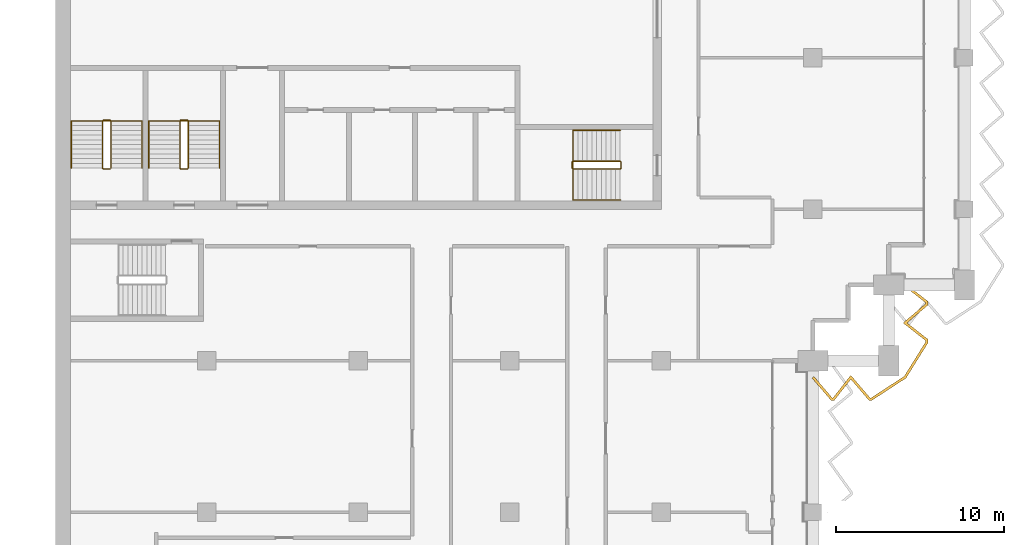
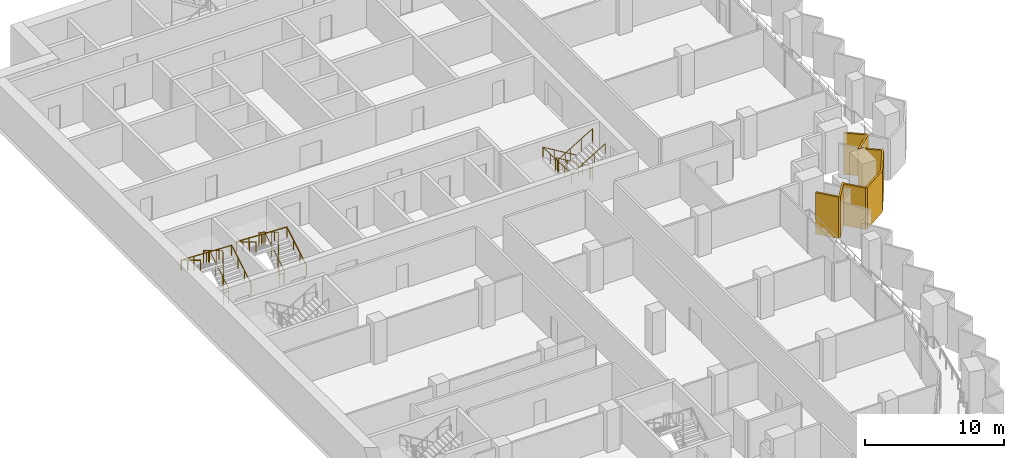
# One storey, part 16 of 17: 6 railings, 1 shading device.
"""IFC4 building model written with IfcOpenShell, lengths in metres."""

import ifcopenshell
import ifcopenshell.guid

model = None  # the IFC model being written
_history = None  # IfcOwnerHistory: only IFC2X3 demands one
_inside = {}  # id of a spatial element -> (the spatial element, [elements in it])
_under = {}  # id of a project, library or spatial element -> (it, [spatial elements below it])
_declared = {}  # id of a project -> (the project, [libraries it declares])
_typed = {}  # id of a type object -> (the type object, [elements of that type])
_made_of = {}  # id of a material, layer set ... -> (it, [elements and type objects made of it])


def new_model(schema):
    """Start an empty IFC model of exactly this schema.

    Asked for "IFC4X3", IfcOpenShell would pick the latest addendum, in which some entities
    have other attributes; the version numbers below select the first issue.
    IFC2X3 requires an IfcOwnerHistory on every rooted entity: one is made here for all.
    """
    global model, _history
    if schema == "IFC4X3":
        model = ifcopenshell.file(schema_version=(4, 3, 0, 0))
    else:
        model = ifcopenshell.file(schema=schema)
    _inside.clear()
    _under.clear()
    _declared.clear()
    _typed.clear()
    _made_of.clear()
    _history = None
    if model.schema == "IFC2X3":
        org = make("IfcOrganization", Name="unknown")
        user = make(
            "IfcPersonAndOrganization",
            ThePerson=make("IfcPerson", FamilyName="unknown"),
            TheOrganization=org,
        )
        app = make(
            "IfcApplication",
            ApplicationDeveloper=org,
            Version="unknown",
            ApplicationFullName="unknown",
            ApplicationIdentifier="unknown",
        )
        _history = make(
            "IfcOwnerHistory",
            OwningUser=user,
            OwningApplication=app,
            ChangeAction="ADDED",
            CreationDate=0,
        )
    return model


def make(cls, **values):
    """One entity of the class cls with the attributes given. An attribute that is None is left unset."""
    return model.create_entity(
        cls, **{name: value for name, value in values.items() if value is not None}
    )


def rooted(cls, **values):
    """An entity with a GlobalId (a new one), such as an element, a storey or a relation."""
    return make(cls, GlobalId=ifcopenshell.guid.new(), OwnerHistory=_history, **values)


def si_unit(unit_type, name, prefix=None):
    """IfcSIUnit, for example si_unit("LENGTHUNIT", "METRE", prefix="MILLI")."""
    return make("IfcSIUnit", UnitType=unit_type, Prefix=prefix, Name=name)


def assignment(units):
    """IfcUnitAssignment: the units of a project."""
    return None if units is None else make("IfcUnitAssignment", Units=units)


def point(xyz):
    """IfcCartesianPoint."""
    return None if xyz is None else make("IfcCartesianPoint", Coordinates=xyz)


def direction(xyz):
    """IfcDirection."""
    return None if xyz is None else make("IfcDirection", DirectionRatios=xyz)


def frame(location, z_axis=None, x_axis=None):
    """IfcAxis2Placement3D, a coordinate frame: its origin and axes. An axis left out is left unset."""
    return make(
        "IfcAxis2Placement3D",
        Location=point(location),
        Axis=direction(z_axis),
        RefDirection=direction(x_axis),
    )


def frame_2d(location, x_axis=None):
    """IfcAxis2Placement2D, a coordinate frame in the plane: its origin and x axis."""
    return make(
        "IfcAxis2Placement2D", Location=point(location), RefDirection=direction(x_axis)
    )


def origin():
    """The frame at (0, 0, 0) with its axes left unset."""
    return frame((0.0, 0.0, 0.0))


def origin_2d():
    """The frame at (0, 0) in the plane with its x axis left unset."""
    return frame_2d((0.0, 0.0))


def place(relative_to, where):
    """IfcLocalPlacement: puts the frame where relative to a parent placement (None: the world)."""
    return make(
        "IfcLocalPlacement", PlacementRelTo=relative_to, RelativePlacement=where
    )


def context(
    kind, dimensions, precision=None, world=None, true_north=None, identifier=None
):
    """IfcGeometricRepresentationContext, for example the 3D "Model" context."""
    return make(
        "IfcGeometricRepresentationContext",
        ContextIdentifier=identifier,
        ContextType=kind,
        CoordinateSpaceDimension=dimensions,
        Precision=precision,
        WorldCoordinateSystem=world,
        TrueNorth=true_north,
    )


def subcontext(parent, identifier, kind, view, scale=None):
    """IfcGeometricRepresentationSubContext, for example "Body" below "Model"."""
    return make(
        "IfcGeometricRepresentationSubContext",
        ContextIdentifier=identifier,
        ContextType=kind,
        ParentContext=parent,
        TargetScale=scale,
        TargetView=view,
    )


def project(units=None, contexts=None):
    """IfcProject with its units and contexts."""
    return rooted(
        "IfcProject",
        Name="project",
        RepresentationContexts=contexts,
        UnitsInContext=assignment(units),
    )


def spatial(cls, under=None, at=None, **own):
    """A site, building, storey or space (cls), placed at a placement, below another one or the project."""
    s = rooted(cls, ObjectPlacement=at, **own)
    if under is not None:
        _under.setdefault(under.id(), (under, []))[1].append(s)
    return s


def polyline(points):
    """IfcPolyline through the points."""
    return make("IfcPolyline", Points=[point(p) for p in points])


def profile(cls, at=None, kind="AREA", **sizes):
    """A parametric profile (cls). Its sizes go by their IFC names, for example OverallWidth=200.0."""
    return make(cls, ProfileType=kind, Position=at, **sizes)


def circle(**sizes):
    """IfcCircleProfileDef."""
    return profile("IfcCircleProfileDef", **sizes)


def outline(outer, holes=None, kind="AREA"):
    """IfcArbitraryClosedProfileDef: a profile drawn as a closed curve; with holes, ...WithVoids."""
    if holes is None:
        return make("IfcArbitraryClosedProfileDef", ProfileType=kind, OuterCurve=outer)
    return make(
        "IfcArbitraryProfileDefWithVoids",
        ProfileType=kind,
        OuterCurve=outer,
        InnerCurves=holes,
    )


def extrude(swept, where, along, depth):
    """IfcExtrudedAreaSolid: the profile swept, set in the frame where, extruded along a direction by depth."""
    return make(
        "IfcExtrudedAreaSolid",
        SweptArea=swept,
        Position=where,
        ExtrudedDirection=direction(along),
        Depth=depth,
    )


def shape(context_of_items, identifier, shape_type, items):
    """IfcShapeRepresentation: the items that make up one representation, for example the "Body"."""
    return make(
        "IfcShapeRepresentation",
        ContextOfItems=context_of_items,
        RepresentationIdentifier=identifier,
        RepresentationType=shape_type,
        Items=items,
    )


def material(Name=None, Category=None):
    """IfcMaterial."""
    return make("IfcMaterial", Name=Name, Category=Category)


def layer(
    of_material, thickness, ventilated=None, Name=None, Category=None, Priority=None
):
    """IfcMaterialLayer: one layer of a wall or slab, of a material (None: an air gap)."""
    return make(
        "IfcMaterialLayer",
        Material=of_material,
        LayerThickness=thickness,
        IsVentilated=ventilated,
        Name=Name,
        Category=Category,
        Priority=Priority,
    )


def layer_set(layers, Name=None):
    """IfcMaterialLayerSet."""
    return make("IfcMaterialLayerSet", MaterialLayers=layers, LayerSetName=Name)


def made_of(thing, what):
    """Note that an element or type object is made of a material, layer set ...; save() writes the relation."""
    if what is not None:
        _made_of.setdefault(what.id(), (what, []))[1].append(thing)
    return thing


def type_object(cls, material=None, **own):
    """A type object (cls), such as IfcWallType, which elements share."""
    return made_of(rooted(cls, **own), material)


def element(
    cls,
    number,
    at=None,
    inside=None,
    cuts=None,
    type_object=None,
    material=None,
    context=None,
    identifier="Body",
    shape_type=None,
    held_by="IfcProductDefinitionShape",
    body=None,
    shapes=None,
    **own,
):
    """One element of the class cls, such as IfcWall. Its Tag is "e" and its number.

    at: its placement. inside: the storey or other place that contains it. cuts: it is an
    opening in that element (IfcRelVoidsElement). A single representation is given by context,
    identifier, shape_type and body (its items); several are given by shapes. held_by: the class
    of the entity that holds the representations. save() writes the other relations.
    """
    e = rooted(cls, Tag="e%d" % number, ObjectPlacement=at, **own)
    if body is not None:
        shapes = [shape(context, identifier, shape_type, body)]
    if shapes is not None:
        e.Representation = make(held_by, Representations=shapes)
    if inside is not None:
        _inside.setdefault(inside.id(), (inside, []))[1].append(e)
    if cuts is not None:
        rooted(
            "IfcRelVoidsElement", RelatingBuildingElement=cuts, RelatedOpeningElement=e
        )
    if type_object is not None:
        _typed.setdefault(type_object.id(), (type_object, []))[1].append(e)
    return made_of(e, material)


def aggregate(whole, parts):
    """IfcRelAggregates: a whole, such as a stair, and the parts it consists of."""
    return rooted("IfcRelAggregates", RelatingObject=whole, RelatedObjects=parts)


def save(model, path):
    """Write the relations noted so far, then the file.

    IfcRelAggregates (storeys below a building ...), IfcRelContainedInSpatialStructure (elements
    in a storey), IfcRelDefinesByType, IfcRelAssociatesMaterial and IfcRelDeclares: one each for
    every whole, place, type object, material and project.
    """
    for whole, parts in _under.values():
        aggregate(whole, parts)
    for where, things in _inside.values():
        rooted(
            "IfcRelContainedInSpatialStructure",
            RelatedElements=things,
            RelatingStructure=where,
        )
    for kind, things in _typed.values():
        rooted("IfcRelDefinesByType", RelatedObjects=things, RelatingType=kind)
    for what, things in _made_of.values():
        rooted("IfcRelAssociatesMaterial", RelatedObjects=things, RelatingMaterial=what)
    for by, libraries in _declared.values():
        rooted("IfcRelDeclares", RelatingContext=by, RelatedDefinitions=libraries)
    model.write(path)


model = new_model("IFC4")

# Units and contexts
model_context = context("Model", 3, precision=1e-05, world=origin(), true_north=direction((0.0, 1.0)))
body_context = subcontext(model_context, "Body", "Model", "MODEL_VIEW")
ifc_project = project(units=[si_unit("LENGTHUNIT", "METRE"), si_unit("AREAUNIT", "SQUARE_METRE"), si_unit("VOLUMEUNIT", "CUBIC_METRE"), si_unit("PLANEANGLEUNIT", "RADIAN"), si_unit("MASSUNIT", "GRAM", prefix="KILO")], contexts=[model_context])

# Site, building, storey
site_placement = place(None, origin())
site = spatial("IfcSite", under=ifc_project, at=site_placement, CompositionType="ELEMENT")
building_placement = place(site_placement, origin())
building = spatial("IfcBuilding", under=site, at=building_placement, Name="Hunhe Ridgeline Campus", CompositionType="ELEMENT")
storey_placement = place(building_placement, frame((0.0, 0.0, 205.0)))
storey = spatial("IfcBuildingStorey", under=building, at=storey_placement, Name="L52", CompositionType="ELEMENT", Elevation=205.0)

# Shading device
ifc_material_1 = material(Name="Concrete C50", Category="concrete")
ifc_layer = layer(ifc_material_1, 0.14990234375)
ifc_layer_set = layer_set([ifc_layer], Name="Sawtooth concrete fin 150 Concrete C50")
shading_device_type = type_object("IfcShadingDeviceType", Name="Sawtooth concrete fin 150 Concrete C50", PredefinedType="USERDEFINED", material=ifc_layer_set)
shading_device_placement = place(storey_placement, frame((0.0, 0.0, -0.949951171875)))
element("IfcShadingDevice", 1, at=shading_device_placement, inside=storey, type_object=shading_device_type, Name="Concrete fin screen 2", ObjectType="FIN", PredefinedType="USERDEFINED", context=body_context, shape_type="SweptSolid", body=[
    extrude(outline(polyline([(45.05712890625, 53.07373046875), (44.94287109375, 52.976318359375), (46.07470703125, 51.64990234375), (46.265869140625, 51.64990234375), (47.25244140625, 52.90673828125), (48.32470703125, 51.64990234375), (48.501708984375, 51.64990234375), (50.52978515625, 52.97119140625), (51.85009765625, 55.087890625), (51.85009765625, 55.265869140625), (50.59326171875, 56.25244140625), (51.85009765625, 57.32470703125), (51.85009765625, 57.515869140625), (50.521240234375, 58.55908203125), (50.4287109375, 58.44091796875), (51.699951171875, 57.44287109375), (51.699951171875, 57.393798828125), (50.356689453125, 56.24755859375), (51.699951171875, 55.19287109375), (51.699951171875, 55.130859375), (50.420166015625, 53.078857421875), (48.45703125, 51.800048828125), (48.393798828125, 51.800048828125), (47.24755859375, 53.143310546875), (46.19287109375, 51.800048828125), (46.143798828125, 51.800048828125), (45.05712890625, 53.07373046875)])), origin(), (0.0, 0.0, 1.0), 3.64990234375),
])

# Railings
ifc_material_2 = material(Name="Stainless steel balustrade", Category="steel")
railing_type_1 = type_object("IfcRailingType", Name="Stair guard 1100 stainless", PredefinedType="GUARDRAIL", material=ifc_material_2)
railing_1_placement = place(storey_placement, frame((33.550048828125, 65.85009765625, 0.168212890625)))
element("IfcRailing", 2, at=railing_1_placement, inside=storey, type_object=railing_type_1, Name="L52 stair S2 guard", PredefinedType="GUARDRAIL", context=body_context, shape_type="SweptSolid", body=[
    extrude(circle(Radius=0.02392578125, at=origin_2d()), frame((0.0, 0.0, 1.076171875), z_axis=(-0.857242210791, 0.0, 0.514913383045), x_axis=(0.0, -1.0, 0.0)), (0.0, 0.0, 1.0), 3.266357421875),
    extrude(circle(Radius=0.02392578125, at=origin_2d()), frame((-2.800048828125, 0.0, 2.7578125), z_axis=(-0.707106781187, -0.707106781187, 0.0), x_axis=(0.707106781187, -0.707106781187, 0.0)), (0.0, 0.0, 1.0), 0.07080078125),
    extrude(circle(Radius=0.02392578125, at=origin_2d()), frame((-2.85009765625, -0.050048828125, 2.7578125), z_axis=(0.0, -1.0, 0.0), x_axis=(1.0, 0.0, 0.0)), (0.0, 0.0, 1.0), 0.35009765625),
    extrude(circle(Radius=0.02392578125, at=origin_2d()), frame((-2.85009765625, -0.400146484375, 2.7578125), z_axis=(0.274582412415, -0.274582412415, 0.921525364591), x_axis=(0.707106781187, 0.707106781187, 0.0)), (0.0, 0.0, 1.0), 0.182373046875),
    extrude(circle(Radius=0.02392578125, at=origin_2d()), frame((-2.800048828125, -0.4501953125, 2.92578125), z_axis=(0.857242210791, 0.0, 0.514913383045), x_axis=(0.0, 1.0, 0.0)), (0.0, 0.0, 1.0), 3.266357421875),
    extrude(circle(Radius=0.02392578125, at=origin_2d()), frame((0.0, -0.4501953125, 4.60791015625), z_axis=(0.013524414389, 0.013524414389, -0.999817073484), x_axis=(-0.707106781187, 0.707106781187, 0.0)), (0.0, 0.0, 1.0), 3.70068359375),
    extrude(circle(Radius=0.02392578125, at=origin_2d()), frame((0.050048828125, -0.400146484375, 0.90771484375), z_axis=(0.0, 1.0, 0.0), x_axis=(-1.0, 0.0, 0.0)), (0.0, 0.0, 1.0), 0.35009765625),
    extrude(circle(Radius=0.02099609375, at=origin_2d()), origin(), (0.0, 0.0, 1.0), 1.052001953125),
    extrude(circle(Radius=0.02099609375, at=origin_2d()), frame((-0.933349609375, 0.0, 0.560546875)), (0.0, 0.0, 1.0), 1.052001953125),
    extrude(circle(Radius=0.02099609375, at=origin_2d()), frame((-1.86669921875, 0.0, 1.121337890625)), (0.0, 0.0, 1.0), 1.052001953125),
    extrude(circle(Radius=0.02099609375, at=origin_2d()), frame((-2.800048828125, 0.0, 1.681884765625)), (0.0, 0.0, 1.0), 1.052001953125),
    extrude(circle(Radius=0.02099609375, at=origin_2d()), frame((-2.85009765625, -0.050048828125, 1.681884765625)), (0.0, 0.0, 1.0), 1.052001953125),
    extrude(circle(Radius=0.02099609375, at=origin_2d()), frame((-2.85009765625, -0.400146484375, 1.681884765625)), (0.0, 0.0, 1.0), 1.052001953125),
    extrude(circle(Radius=0.02099609375, at=origin_2d()), frame((-2.800048828125, -0.4501953125, 1.849853515625)), (0.0, 0.0, 1.0), 1.052001953125),
    extrude(circle(Radius=0.02099609375, at=origin_2d()), frame((-1.86669921875, -0.4501953125, 2.410400390625)), (0.0, 0.0, 1.0), 1.052001953125),
    extrude(circle(Radius=0.02099609375, at=origin_2d()), frame((-0.933349609375, -0.4501953125, 2.97119140625)), (0.0, 0.0, 1.0), 1.052001953125),
    extrude(circle(Radius=0.02099609375, at=origin_2d()), frame((0.0, -0.4501953125, 3.53173828125)), (0.0, 0.0, 1.0), 1.052001953125),
    extrude(circle(Radius=0.02099609375, at=origin_2d()), frame((0.012451171875, -0.437744140625, 2.606689453125)), (0.0, 0.0, 1.0), 1.052001953125),
    extrude(circle(Radius=0.02099609375, at=origin_2d()), frame((0.02490234375, -0.42529296875, 1.681640625)), (0.0, 0.0, 1.0), 1.052001953125),
    extrude(circle(Radius=0.02099609375, at=origin_2d()), frame((0.03759765625, -0.41259765625, 0.7568359375)), (0.0, 0.0, 1.0), 1.052001953125),
    extrude(circle(Radius=0.02099609375, at=origin_2d()), frame((0.050048828125, -0.400146484375, -0.168212890625)), (0.0, 0.0, 1.0), 1.052001953125),
    extrude(circle(Radius=0.02099609375, at=origin_2d()), frame((0.050048828125, -0.050048828125, -0.168212890625)), (0.0, 0.0, 1.0), 1.052001953125),
])
railing_2_placement = place(storey_placement, frame((3.300048828125, 65.449951171875, 0.168212890625)))
element("IfcRailing", 3, at=railing_2_placement, inside=storey, type_object=railing_type_1, Name="L52 stair S3 guard", PredefinedType="GUARDRAIL", context=body_context, shape_type="SweptSolid", body=[
    extrude(circle(Radius=0.02392578125, at=origin_2d()), frame((0.0, 0.0, 1.076171875), z_axis=(0.0, 0.857242210791, 0.514913383045), x_axis=(-1.0, 0.0, 0.0)), (0.0, 0.0, 1.0), 3.266357421875),
    extrude(circle(Radius=0.02392578125, at=origin_2d()), frame((0.0, 2.800048828125, 2.7578125), z_axis=(-0.707106781187, 0.707106781187, 0.0), x_axis=(-0.707106781187, -0.707106781187, 0.0)), (0.0, 0.0, 1.0), 0.07080078125),
    extrude(circle(Radius=0.02392578125, at=origin_2d()), frame((-0.050048828125, 2.85009765625, 2.7578125), z_axis=(-1.0, 0.0, 0.0), x_axis=(0.0, -1.0, 0.0)), (0.0, 0.0, 1.0), 0.39990234375),
    extrude(circle(Radius=0.02392578125, at=origin_2d()), frame((-0.449951171875, 2.85009765625, 2.7578125), z_axis=(-0.274582412415, -0.274582412415, 0.921525364591), x_axis=(0.707106781187, -0.707106781187, 0.0)), (0.0, 0.0, 1.0), 0.182373046875),
    extrude(circle(Radius=0.02392578125, at=origin_2d()), frame((-0.5, 2.800048828125, 2.92578125), z_axis=(0.0, -0.857242210791, 0.514913383045), x_axis=(1.0, 0.0, 0.0)), (0.0, 0.0, 1.0), 3.266357421875),
    extrude(circle(Radius=0.02392578125, at=origin_2d()), frame((-0.5, 0.0, 4.60791015625), z_axis=(0.013524414389, -0.013524414389, -0.999817073484), x_axis=(0.707106781187, 0.707106781187, 0.0)), (0.0, 0.0, 1.0), 3.70068359375),
    extrude(circle(Radius=0.02392578125, at=origin_2d()), frame((-0.449951171875, -0.050048828125, 0.90771484375), z_axis=(1.0, 0.0, 0.0), x_axis=(0.0, 1.0, 0.0)), (0.0, 0.0, 1.0), 0.39990234375),
    extrude(circle(Radius=0.02099609375, at=origin_2d()), origin(), (0.0, 0.0, 1.0), 1.052001953125),
    extrude(circle(Radius=0.02099609375, at=origin_2d()), frame((0.0, 0.933349609375, 0.560546875)), (0.0, 0.0, 1.0), 1.052001953125),
    extrude(circle(Radius=0.02099609375, at=origin_2d()), frame((0.0, 1.86669921875, 1.121337890625)), (0.0, 0.0, 1.0), 1.052001953125),
    extrude(circle(Radius=0.02099609375, at=origin_2d()), frame((0.0, 2.800048828125, 1.681884765625)), (0.0, 0.0, 1.0), 1.052001953125),
    extrude(circle(Radius=0.02099609375, at=origin_2d()), frame((-0.050048828125, 2.85009765625, 1.681884765625)), (0.0, 0.0, 1.0), 1.052001953125),
    extrude(circle(Radius=0.02099609375, at=origin_2d()), frame((-0.449951171875, 2.85009765625, 1.681884765625)), (0.0, 0.0, 1.0), 1.052001953125),
    extrude(circle(Radius=0.02099609375, at=origin_2d()), frame((-0.5, 2.800048828125, 1.849853515625)), (0.0, 0.0, 1.0), 1.052001953125),
    extrude(circle(Radius=0.02099609375, at=origin_2d()), frame((-0.5, 1.86669921875, 2.410400390625)), (0.0, 0.0, 1.0), 1.052001953125),
    extrude(circle(Radius=0.02099609375, at=origin_2d()), frame((-0.5, 0.933349609375, 2.97119140625)), (0.0, 0.0, 1.0), 1.052001953125),
    extrude(circle(Radius=0.02099609375, at=origin_2d()), frame((-0.5, 0.0, 3.53173828125)), (0.0, 0.0, 1.0), 1.052001953125),
    extrude(circle(Radius=0.02099609375, at=origin_2d()), frame((-0.487548828125, -0.012451171875, 2.606689453125)), (0.0, 0.0, 1.0), 1.052001953125),
    extrude(circle(Radius=0.02099609375, at=origin_2d()), frame((-0.47509765625, -0.02490234375, 1.681640625)), (0.0, 0.0, 1.0), 1.052001953125),
    extrude(circle(Radius=0.02099609375, at=origin_2d()), frame((-0.46240234375, -0.03759765625, 0.7568359375)), (0.0, 0.0, 1.0), 1.052001953125),
    extrude(circle(Radius=0.02099609375, at=origin_2d()), frame((-0.449951171875, -0.050048828125, -0.168212890625)), (0.0, 0.0, 1.0), 1.052001953125),
    extrude(circle(Radius=0.02099609375, at=origin_2d()), frame((-0.050048828125, -0.050048828125, -0.168212890625)), (0.0, 0.0, 1.0), 1.052001953125),
])
railing_3_placement = place(storey_placement, frame((7.89990234375, 65.449951171875, 0.168212890625)))
element("IfcRailing", 4, at=railing_3_placement, inside=storey, type_object=railing_type_1, Name="L52 stair S4 guard", PredefinedType="GUARDRAIL", context=body_context, shape_type="SweptSolid", body=[
    extrude(circle(Radius=0.02392578125, at=origin_2d()), frame((0.0, 0.0, 1.076171875), z_axis=(0.0, 0.857242210791, 0.514913383045), x_axis=(-1.0, 0.0, 0.0)), (0.0, 0.0, 1.0), 3.266357421875),
    extrude(circle(Radius=0.02392578125, at=origin_2d()), frame((0.0, 2.800048828125, 2.7578125), z_axis=(-0.705375805398, 0.708833529934, 0.0), x_axis=(-0.708833529934, -0.705375805398, 0.0)), (0.0, 0.0, 1.0), 0.070556640625),
    extrude(circle(Radius=0.02392578125, at=origin_2d()), frame((-0.0498046875, 2.85009765625, 2.7578125), z_axis=(-1.0, 0.0, 0.0), x_axis=(0.0, -1.0, 0.0)), (0.0, 0.0, 1.0), 0.400146484375),
    extrude(circle(Radius=0.02392578125, at=origin_2d()), frame((-0.449951171875, 2.85009765625, 2.7578125), z_axis=(-0.274582412415, -0.274582412415, 0.921525364591), x_axis=(0.707106781187, -0.707106781187, 0.0)), (0.0, 0.0, 1.0), 0.182373046875),
    extrude(circle(Radius=0.02392578125, at=origin_2d()), frame((-0.5, 2.800048828125, 2.92578125), z_axis=(0.0, -0.857242210791, 0.514913383045), x_axis=(1.0, 0.0, 0.0)), (0.0, 0.0, 1.0), 3.266357421875),
    extrude(circle(Radius=0.02392578125, at=origin_2d()), frame((-0.5, 0.0, 4.60791015625), z_axis=(0.013524414389, -0.013524414389, -0.999817073484), x_axis=(0.707106781187, 0.707106781187, 0.0)), (0.0, 0.0, 1.0), 3.70068359375),
    extrude(circle(Radius=0.02392578125, at=origin_2d()), frame((-0.449951171875, -0.050048828125, 0.90771484375), z_axis=(1.0, 0.0, 0.0), x_axis=(0.0, 1.0, 0.0)), (0.0, 0.0, 1.0), 0.400146484375),
    extrude(circle(Radius=0.02099609375, at=origin_2d()), origin(), (0.0, 0.0, 1.0), 1.052001953125),
    extrude(circle(Radius=0.02099609375, at=origin_2d()), frame((0.0, 0.933349609375, 0.560546875)), (0.0, 0.0, 1.0), 1.052001953125),
    extrude(circle(Radius=0.02099609375, at=origin_2d()), frame((0.0, 1.86669921875, 1.121337890625)), (0.0, 0.0, 1.0), 1.052001953125),
    extrude(circle(Radius=0.02099609375, at=origin_2d()), frame((0.0, 2.800048828125, 1.681884765625)), (0.0, 0.0, 1.0), 1.052001953125),
    extrude(circle(Radius=0.02099609375, at=origin_2d()), frame((-0.0498046875, 2.85009765625, 1.681884765625)), (0.0, 0.0, 1.0), 1.052001953125),
    extrude(circle(Radius=0.02099609375, at=origin_2d()), frame((-0.449951171875, 2.85009765625, 1.681884765625)), (0.0, 0.0, 1.0), 1.052001953125),
    extrude(circle(Radius=0.02099609375, at=origin_2d()), frame((-0.5, 2.800048828125, 1.849853515625)), (0.0, 0.0, 1.0), 1.052001953125),
    extrude(circle(Radius=0.02099609375, at=origin_2d()), frame((-0.5, 1.86669921875, 2.410400390625)), (0.0, 0.0, 1.0), 1.052001953125),
    extrude(circle(Radius=0.02099609375, at=origin_2d()), frame((-0.5, 0.933349609375, 2.97119140625)), (0.0, 0.0, 1.0), 1.052001953125),
    extrude(circle(Radius=0.02099609375, at=origin_2d()), frame((-0.5, 0.0, 3.53173828125)), (0.0, 0.0, 1.0), 1.052001953125),
    extrude(circle(Radius=0.02099609375, at=origin_2d()), frame((-0.487548828125, -0.012451171875, 2.606689453125)), (0.0, 0.0, 1.0), 1.052001953125),
    extrude(circle(Radius=0.02099609375, at=origin_2d()), frame((-0.47509765625, -0.02490234375, 1.681640625)), (0.0, 0.0, 1.0), 1.052001953125),
    extrude(circle(Radius=0.02099609375, at=origin_2d()), frame((-0.46240234375, -0.03759765625, 0.7568359375)), (0.0, 0.0, 1.0), 1.052001953125),
    extrude(circle(Radius=0.02099609375, at=origin_2d()), frame((-0.449951171875, -0.050048828125, -0.168212890625)), (0.0, 0.0, 1.0), 1.052001953125),
    extrude(circle(Radius=0.02099609375, at=origin_2d()), frame((-0.0498046875, -0.050048828125, -0.168212890625)), (0.0, 0.0, 1.0), 1.052001953125),
])
ifc_material_3 = material(Name="Stainless steel handrail", Category="steel")
railing_type_2 = type_object("IfcRailingType", Name="Stair handrail 900 stainless", PredefinedType="HANDRAIL", material=ifc_material_3)
railing_4_placement = place(storey_placement, frame((33.550048828125, 67.699951171875, 0.168212890625)))
element("IfcRailing", 5, at=railing_4_placement, inside=storey, type_object=railing_type_2, Name="L52 stair S2 handrail", PredefinedType="HANDRAIL", context=body_context, shape_type="SweptSolid", body=[
    extrude(circle(Radius=0.02392578125, at=origin_2d()), frame((0.0, 0.0, 0.8759765625), z_axis=(-0.857242210791, 0.0, 0.514913383045), x_axis=(0.0, -1.0, 0.0)), (0.0, 0.0, 1.0), 3.266357421875),
    extrude(circle(Radius=0.02392578125, at=origin_2d()), frame((-2.800048828125, 0.0, 2.5576171875), z_axis=(0.0, -0.999181878101, 0.040442236271), x_axis=(1.0, 0.0, 0.0)), (0.0, 0.0, 1.0), 4.1533203125),
    extrude(circle(Radius=0.02392578125, at=origin_2d()), frame((-2.800048828125, -4.14990234375, 2.7255859375), z_axis=(0.857242210791, 0.0, 0.514913383045), x_axis=(0.0, 1.0, 0.0)), (0.0, 0.0, 1.0), 3.266357421875),
    extrude(circle(Radius=0.02099609375, at=origin_2d()), origin(), (0.0, 0.0, 1.0), 0.851806640625),
    extrude(circle(Radius=0.02099609375, at=origin_2d()), frame((-0.933349609375, 0.0, 0.560546875)), (0.0, 0.0, 1.0), 0.851806640625),
    extrude(circle(Radius=0.02099609375, at=origin_2d()), frame((-1.86669921875, 0.0, 1.121337890625)), (0.0, 0.0, 1.0), 0.851806640625),
    extrude(circle(Radius=0.02099609375, at=origin_2d()), frame((-2.800048828125, 0.0, 1.681884765625)), (0.0, 0.0, 1.0), 0.851806640625),
    extrude(circle(Radius=0.02099609375, at=origin_2d()), frame((-2.800048828125, -1.03759765625, 1.723876953125)), (0.0, 0.0, 1.0), 0.851806640625),
    extrude(circle(Radius=0.02099609375, at=origin_2d()), frame((-2.800048828125, -2.074951171875, 1.765869140625)), (0.0, 0.0, 1.0), 0.851806640625),
    extrude(circle(Radius=0.02099609375, at=origin_2d()), frame((-2.800048828125, -3.1123046875, 1.807861328125)), (0.0, 0.0, 1.0), 0.851806640625),
    extrude(circle(Radius=0.02099609375, at=origin_2d()), frame((-2.800048828125, -4.14990234375, 1.849853515625)), (0.0, 0.0, 1.0), 0.851806640625),
    extrude(circle(Radius=0.02099609375, at=origin_2d()), frame((-1.86669921875, -4.14990234375, 2.410400390625)), (0.0, 0.0, 1.0), 0.851806640625),
    extrude(circle(Radius=0.02099609375, at=origin_2d()), frame((-0.933349609375, -4.14990234375, 2.97119140625)), (0.0, 0.0, 1.0), 0.851806640625),
    extrude(circle(Radius=0.02099609375, at=origin_2d()), frame((0.0, -4.14990234375, 3.53173828125)), (0.0, 0.0, 1.0), 0.851806640625),
])
railing_5_placement = place(storey_placement, frame((5.14990234375, 65.449951171875, 0.168212890625)))
element("IfcRailing", 6, at=railing_5_placement, inside=storey, type_object=railing_type_2, Name="L52 stair S3 handrail", PredefinedType="HANDRAIL", context=body_context, shape_type="SweptSolid", body=[
    extrude(circle(Radius=0.02392578125, at=origin_2d()), frame((0.0, 0.0, 0.8759765625), z_axis=(0.0, 0.857242210791, 0.514913383045), x_axis=(-1.0, 0.0, 0.0)), (0.0, 0.0, 1.0), 3.266357421875),
    extrude(circle(Radius=0.02392578125, at=origin_2d()), frame((0.0, 2.800048828125, 2.5576171875), z_axis=(-0.99920123705, 0.0, 0.039961079526), x_axis=(0.0, -1.0, 0.0)), (0.0, 0.0, 1.0), 4.203369140625),
    extrude(circle(Radius=0.02392578125, at=origin_2d()), frame((-4.199951171875, 2.800048828125, 2.7255859375), z_axis=(0.0, -0.857242210791, 0.514913383045), x_axis=(1.0, 0.0, 0.0)), (0.0, 0.0, 1.0), 3.266357421875),
    extrude(circle(Radius=0.02099609375, at=origin_2d()), origin(), (0.0, 0.0, 1.0), 0.851806640625),
    extrude(circle(Radius=0.02099609375, at=origin_2d()), frame((0.0, 0.933349609375, 0.560546875)), (0.0, 0.0, 1.0), 0.851806640625),
    extrude(circle(Radius=0.02099609375, at=origin_2d()), frame((0.0, 1.86669921875, 1.121337890625)), (0.0, 0.0, 1.0), 0.851806640625),
    extrude(circle(Radius=0.02099609375, at=origin_2d()), frame((0.0, 2.800048828125, 1.681884765625)), (0.0, 0.0, 1.0), 0.851806640625),
    extrude(circle(Radius=0.02099609375, at=origin_2d()), frame((-1.050048828125, 2.800048828125, 1.723876953125)), (0.0, 0.0, 1.0), 0.851806640625),
    extrude(circle(Radius=0.02099609375, at=origin_2d()), frame((-2.10009765625, 2.800048828125, 1.765869140625)), (0.0, 0.0, 1.0), 0.851806640625),
    extrude(circle(Radius=0.02099609375, at=origin_2d()), frame((-3.14990234375, 2.800048828125, 1.807861328125)), (0.0, 0.0, 1.0), 0.851806640625),
    extrude(circle(Radius=0.02099609375, at=origin_2d()), frame((-4.199951171875, 2.800048828125, 1.849853515625)), (0.0, 0.0, 1.0), 0.851806640625),
    extrude(circle(Radius=0.02099609375, at=origin_2d()), frame((-4.199951171875, 1.86669921875, 2.410400390625)), (0.0, 0.0, 1.0), 0.851806640625),
    extrude(circle(Radius=0.02099609375, at=origin_2d()), frame((-4.199951171875, 0.933349609375, 2.97119140625)), (0.0, 0.0, 1.0), 0.851806640625),
    extrude(circle(Radius=0.02099609375, at=origin_2d()), frame((-4.199951171875, 0.0, 3.53173828125)), (0.0, 0.0, 1.0), 0.851806640625),
])
railing_6_placement = place(storey_placement, frame((9.75, 65.449951171875, 0.168212890625)))
element("IfcRailing", 7, at=railing_6_placement, inside=storey, type_object=railing_type_2, Name="L52 stair S4 handrail", PredefinedType="HANDRAIL", context=body_context, shape_type="SweptSolid", body=[
    extrude(circle(Radius=0.02392578125, at=origin_2d()), frame((0.0, 0.0, 0.8759765625), z_axis=(0.0, 0.857242210791, 0.514913383045), x_axis=(-1.0, 0.0, 0.0)), (0.0, 0.0, 1.0), 3.266357421875),
    extrude(circle(Radius=0.02392578125, at=origin_2d()), frame((0.0, 2.800048828125, 2.5576171875), z_axis=(-0.99920123705, 0.0, 0.039961079526), x_axis=(0.0, -1.0, 0.0)), (0.0, 0.0, 1.0), 4.203369140625),
    extrude(circle(Radius=0.02392578125, at=origin_2d()), frame((-4.199951171875, 2.800048828125, 2.7255859375), z_axis=(0.0, -0.857242210791, 0.514913383045), x_axis=(1.0, 0.0, 0.0)), (0.0, 0.0, 1.0), 3.266357421875),
    extrude(circle(Radius=0.02099609375, at=origin_2d()), origin(), (0.0, 0.0, 1.0), 0.851806640625),
    extrude(circle(Radius=0.02099609375, at=origin_2d()), frame((0.0, 0.933349609375, 0.560546875)), (0.0, 0.0, 1.0), 0.851806640625),
    extrude(circle(Radius=0.02099609375, at=origin_2d()), frame((0.0, 1.86669921875, 1.121337890625)), (0.0, 0.0, 1.0), 0.851806640625),
    extrude(circle(Radius=0.02099609375, at=origin_2d()), frame((0.0, 2.800048828125, 1.681884765625)), (0.0, 0.0, 1.0), 0.851806640625),
    extrude(circle(Radius=0.02099609375, at=origin_2d()), frame((-1.050048828125, 2.800048828125, 1.723876953125)), (0.0, 0.0, 1.0), 0.851806640625),
    extrude(circle(Radius=0.02099609375, at=origin_2d()), frame((-2.10009765625, 2.800048828125, 1.765869140625)), (0.0, 0.0, 1.0), 0.851806640625),
    extrude(circle(Radius=0.02099609375, at=origin_2d()), frame((-3.14990234375, 2.800048828125, 1.807861328125)), (0.0, 0.0, 1.0), 0.851806640625),
    extrude(circle(Radius=0.02099609375, at=origin_2d()), frame((-4.199951171875, 2.800048828125, 1.849853515625)), (0.0, 0.0, 1.0), 0.851806640625),
    extrude(circle(Radius=0.02099609375, at=origin_2d()), frame((-4.199951171875, 1.86669921875, 2.410400390625)), (0.0, 0.0, 1.0), 0.851806640625),
    extrude(circle(Radius=0.02099609375, at=origin_2d()), frame((-4.199951171875, 0.933349609375, 2.97119140625)), (0.0, 0.0, 1.0), 0.851806640625),
    extrude(circle(Radius=0.02099609375, at=origin_2d()), frame((-4.199951171875, 0.0, 3.53173828125)), (0.0, 0.0, 1.0), 0.851806640625),
])

save(model, "model.ifc")
